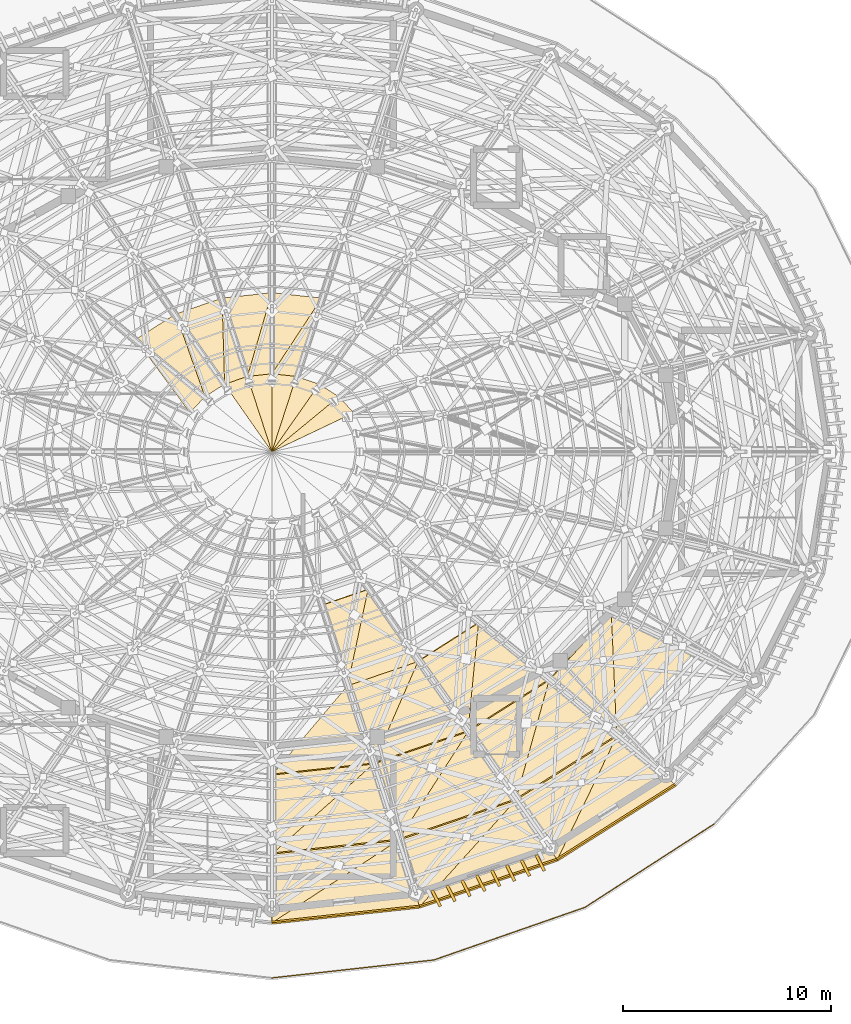
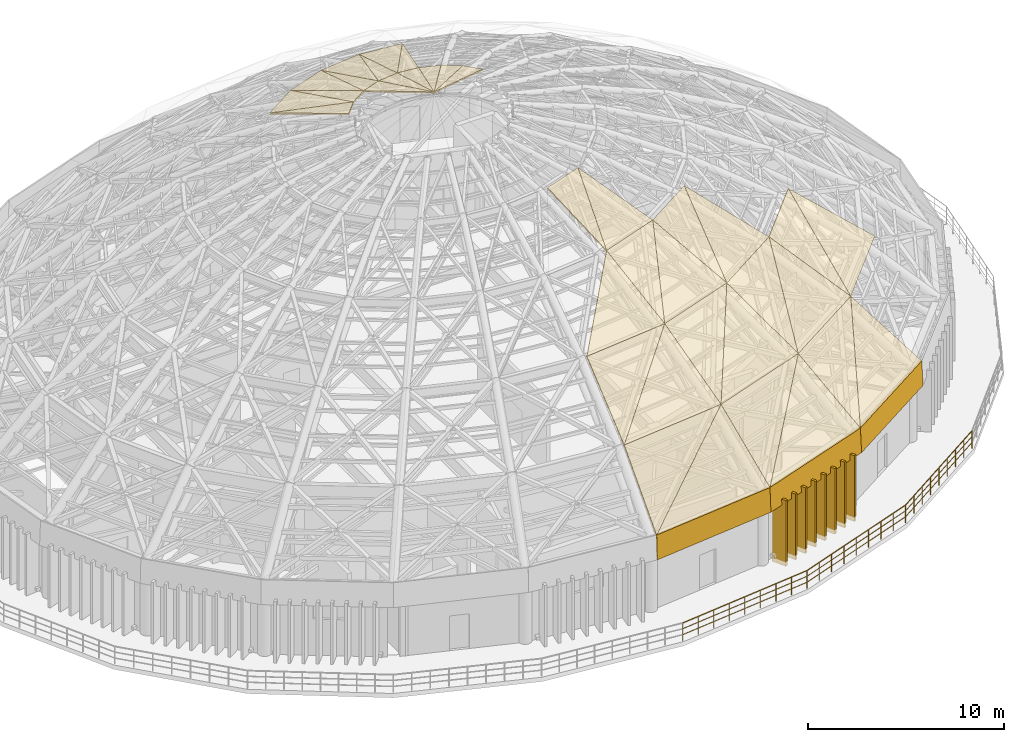
# One storey, part 45 of 50: 39 coverings, 8 shading devices, 3 railings, 6 elements without a shape of their own.
"""IFC4 building model written with IfcOpenShell, lengths in metres."""

from ifc_helpers import new_model, si_unit, direction, frame, origin, origin_2d, place, context, subcontext, project, spatial, polyline, rectangle, circle, outline, extrude, material, layer, layer_set, type_object, element, aggregate, save


model = new_model("IFC4")

# Units and contexts
model_context = context("Model", 3, precision=1e-05, world=origin(), true_north=direction((0.0, 1.0)))
body_context = subcontext(model_context, "Body", "Model", "MODEL_VIEW")
ifc_project = project(units=[si_unit("LENGTHUNIT", "METRE"), si_unit("AREAUNIT", "SQUARE_METRE"), si_unit("VOLUMEUNIT", "CUBIC_METRE"), si_unit("PLANEANGLEUNIT", "RADIAN"), si_unit("MASSUNIT", "GRAM", prefix="KILO")], contexts=[model_context])

# Site, building, storey
site_placement = place(None, origin())
site = spatial("IfcSite", under=ifc_project, at=site_placement, CompositionType="ELEMENT")
building_placement = place(site_placement, origin())
building = spatial("IfcBuilding", under=site, at=building_placement, Name="Cinderbank Siding Concert Hall", CompositionType="ELEMENT")
storey_placement = place(building_placement, frame((0.0, 0.0, 23.699951171875)))
storey = spatial("IfcBuildingStorey", under=building, at=storey_placement, Name="L06", CompositionType="ELEMENT", Elevation=23.699951171875)

# Railings
ifc_material_1 = material(Name="Structural steel AS/NZS 3679.1 Grade 350 (340 MPa)", Category="steel")
railing_type = type_object("IfcRailingType", Name="GD-01 Terrace & Perimeter Guardrail 1120mm", PredefinedType="GUARDRAIL", material=ifc_material_1)
railing_1_placement = place(storey_placement, frame((143.28955078125, 26.116455078125, 0.0)))
element("IfcRailing", 1, at=railing_1_placement, inside=storey, type_object=railing_type, Name="L06 Perimeter Guardrail #154", PredefinedType="GUARDRAIL", context=body_context, shape_type="SweptSolid", body=[
    extrude(circle(Radius=0.02392578125, at=origin_2d()), frame((0.0, 0.0, 1.09619140625), z_axis=(-0.840220235148, -0.54224529177, 0.0), x_axis=(0.54224529177, -0.840220235148, 0.0)), (0.0, 0.0, 1.0), 7.4189453125),
    extrude(circle(Radius=0.01611328125, at=origin_2d()), frame((0.0, 0.0, 0.36962890625), z_axis=(-0.840220235148, -0.54224529177, 0.0), x_axis=(0.54224529177, -0.840220235148, 0.0)), (0.0, 0.0, 1.0), 7.4189453125),
    extrude(circle(Radius=0.01611328125, at=origin_2d()), frame((0.0, 0.0, 0.7392578125), z_axis=(-0.840220235148, -0.54224529177, 0.0), x_axis=(0.54224529177, -0.840220235148, 0.0)), (0.0, 0.0, 1.0), 7.4189453125),
    extrude(circle(Radius=0.02099609375, at=origin_2d()), origin(), (0.0, 0.0, 1.0), 1.072021484375),
    extrude(circle(Radius=0.02099609375, at=origin_2d()), frame((-0.779296875, -0.5029296875, 0.0)), (0.0, 0.0, 1.0), 1.072021484375),
    extrude(circle(Radius=0.02099609375, at=origin_2d()), frame((-1.558349609375, -1.005859375, 0.0)), (0.0, 0.0, 1.0), 1.072021484375),
    extrude(circle(Radius=0.02099609375, at=origin_2d()), frame((-2.337646484375, -1.508544921875, 0.0)), (0.0, 0.0, 1.0), 1.072021484375),
    extrude(circle(Radius=0.02099609375, at=origin_2d()), frame((-3.11669921875, -2.011474609375, 0.0)), (0.0, 0.0, 1.0), 1.072021484375),
    extrude(circle(Radius=0.02099609375, at=origin_2d()), frame((-3.89599609375, -2.514404296875, 0.0)), (0.0, 0.0, 1.0), 1.072021484375),
    extrude(circle(Radius=0.02099609375, at=origin_2d()), frame((-4.67529296875, -3.01708984375, 0.0)), (0.0, 0.0, 1.0), 1.072021484375),
    extrude(circle(Radius=0.02099609375, at=origin_2d()), frame((-5.454345703125, -3.52001953125, 0.0)), (0.0, 0.0, 1.0), 1.072021484375),
    extrude(circle(Radius=0.02099609375, at=origin_2d()), frame((-6.233642578125, -4.02294921875, 0.0)), (0.0, 0.0, 1.0), 1.072021484375),
])
railing_2_placement = place(storey_placement, frame((137.055908203125, 22.093505859375, 0.0)))
element("IfcRailing", 2, at=railing_2_placement, inside=storey, type_object=railing_type, Name="L06 Perimeter Guardrail #155", PredefinedType="GUARDRAIL", context=body_context, shape_type="SweptSolid", body=[
    extrude(circle(Radius=0.02392578125, at=origin_2d()), frame((0.0, 0.0, 1.09619140625), z_axis=(-0.94433649483, -0.328981130965, 0.0), x_axis=(0.328981130965, -0.94433649483, 0.0)), (0.0, 0.0, 1.0), 7.689697265625),
    extrude(circle(Radius=0.01611328125, at=origin_2d()), frame((0.0, 0.0, 0.36962890625), z_axis=(-0.94433649483, -0.328981130965, 0.0), x_axis=(0.328981130965, -0.94433649483, 0.0)), (0.0, 0.0, 1.0), 7.689697265625),
    extrude(circle(Radius=0.01611328125, at=origin_2d()), frame((0.0, 0.0, 0.7392578125), z_axis=(-0.94433649483, -0.328981130965, 0.0), x_axis=(0.328981130965, -0.94433649483, 0.0)), (0.0, 0.0, 1.0), 7.689697265625),
    extrude(circle(Radius=0.02099609375, at=origin_2d()), origin(), (0.0, 0.0, 1.0), 1.072021484375),
    extrude(circle(Radius=0.02099609375, at=origin_2d()), frame((-0.90771484375, -0.316162109375, 0.0)), (0.0, 0.0, 1.0), 1.072021484375),
    extrude(circle(Radius=0.02099609375, at=origin_2d()), frame((-1.8154296875, -0.63232421875, 0.0)), (0.0, 0.0, 1.0), 1.072021484375),
    extrude(circle(Radius=0.02099609375, at=origin_2d()), frame((-2.72314453125, -0.94873046875, 0.0)), (0.0, 0.0, 1.0), 1.072021484375),
    extrude(circle(Radius=0.02099609375, at=origin_2d()), frame((-3.630859375, -1.264892578125, 0.0)), (0.0, 0.0, 1.0), 1.072021484375),
    extrude(circle(Radius=0.02099609375, at=origin_2d()), frame((-4.53857421875, -1.5810546875, 0.0)), (0.0, 0.0, 1.0), 1.072021484375),
    extrude(circle(Radius=0.02099609375, at=origin_2d()), frame((-5.4462890625, -1.8974609375, 0.0)), (0.0, 0.0, 1.0), 1.072021484375),
    extrude(circle(Radius=0.02099609375, at=origin_2d()), frame((-6.35400390625, -2.213623046875, 0.0)), (0.0, 0.0, 1.0), 1.072021484375),
    extrude(circle(Radius=0.02099609375, at=origin_2d()), frame((-7.26171875, -2.52978515625, 0.0)), (0.0, 0.0, 1.0), 1.072021484375),
])
railing_3_placement = place(storey_placement, frame((129.794189453125, 19.563720703125, 0.0)))
element("IfcRailing", 3, at=railing_3_placement, inside=storey, type_object=railing_type, Name="L06 Perimeter Guardrail #156", PredefinedType="GUARDRAIL", context=body_context, shape_type="SweptSolid", body=[
    extrude(circle(Radius=0.02392578125, at=origin_2d()), frame((0.0, 0.0, 1.09619140625), z_axis=(-0.993925427563, -0.110055642488, 0.0), x_axis=(0.110055642488, -0.993925427563, 0.0)), (0.0, 0.0, 1.0), 7.841796875),
    extrude(circle(Radius=0.01611328125, at=origin_2d()), frame((0.0, 0.0, 0.36962890625), z_axis=(-0.993925427563, -0.110055642488, 0.0), x_axis=(0.110055642488, -0.993925427563, 0.0)), (0.0, 0.0, 1.0), 7.841796875),
    extrude(circle(Radius=0.01611328125, at=origin_2d()), frame((0.0, 0.0, 0.7392578125), z_axis=(-0.993925427563, -0.110055642488, 0.0), x_axis=(0.110055642488, -0.993925427563, 0.0)), (0.0, 0.0, 1.0), 7.841796875),
    extrude(circle(Radius=0.02099609375, at=origin_2d()), origin(), (0.0, 0.0, 1.0), 1.072021484375),
    extrude(circle(Radius=0.02099609375, at=origin_2d()), frame((-0.974365234375, -0.10791015625, 0.0)), (0.0, 0.0, 1.0), 1.072021484375),
    extrude(circle(Radius=0.02099609375, at=origin_2d()), frame((-1.948486328125, -0.2158203125, 0.0)), (0.0, 0.0, 1.0), 1.072021484375),
    extrude(circle(Radius=0.02099609375, at=origin_2d()), frame((-2.9228515625, -0.32373046875, 0.0)), (0.0, 0.0, 1.0), 1.072021484375),
    extrude(circle(Radius=0.02099609375, at=origin_2d()), frame((-3.89697265625, -0.431640625, 0.0)), (0.0, 0.0, 1.0), 1.072021484375),
    extrude(circle(Radius=0.02099609375, at=origin_2d()), frame((-4.871337890625, -0.539306640625, 0.0)), (0.0, 0.0, 1.0), 1.072021484375),
    extrude(circle(Radius=0.02099609375, at=origin_2d()), frame((-5.845703125, -0.647216796875, 0.0)), (0.0, 0.0, 1.0), 1.072021484375),
    extrude(circle(Radius=0.02099609375, at=origin_2d()), frame((-6.81982421875, -0.755126953125, 0.0)), (0.0, 0.0, 1.0), 1.072021484375),
    extrude(circle(Radius=0.02099609375, at=origin_2d()), frame((-7.794189453125, -0.863037109375, 0.0)), (0.0, 0.0, 1.0), 1.072021484375),
])

# Shading devices
ifc_material_2 = material(Name="Glazed architectural terracotta acoustic louvre unit", Category="masonry")
shading_device_type = type_object("IfcShadingDeviceType", Name="LV-02 Terracotta Louvre Blade 850x4050", PredefinedType="JALOUSIE", material=ifc_material_2)
for number, where, z_axis, x_axis, name in (
    (4, (129.902099609375, 22.523681640625, -0.27490234375), (0.0, 0.0, 1.0), (0.450487284518, -0.89278284397, 0.0), "L06 Terracotta Louvre Blade #314"),
    (5, (130.617919921875, 22.76708984375, -0.27490234375), (0.0, 0.0, 1.0), (0.450487284518, -0.89278284397, 0.0), "L06 Terracotta Louvre Blade #315"),
    (6, (131.33349609375, 23.01025390625, -0.27490234375), (0.0, 0.0, 1.0), (0.450487284518, -0.89278284397, 0.0), "L06 Terracotta Louvre Blade #316"),
    (7, (132.049072265625, 23.253662109375, -0.27490234375), (0.0, 0.0, 1.0), (0.450487284518, -0.89278284397, 0.0), "L06 Terracotta Louvre Blade #317"),
    (8, (132.764892578125, 23.4970703125, -0.27490234375), (0.0, 0.0, 1.0), (0.450487284518, -0.89278284397, 0.0), "L06 Terracotta Louvre Blade #318"),
    (9, (133.48046875, 23.740234375, -0.27490234375), (0.0, 0.0, 1.0), (0.450487284518, -0.89278284397, 0.0), "L06 Terracotta Louvre Blade #319"),
    (10, (134.196044921875, 23.983642578125, -0.27490234375), (0.0, 0.0, 1.0), (0.450487284518, -0.89278284397, 0.0), "L06 Terracotta Louvre Blade #320"),
    (11, (134.91162109375, 24.22705078125, -0.27490234375), (0.0, 0.0, 1.0), (0.450487284518, -0.89278284397, 0.0), "L06 Terracotta Louvre Blade #321"),
):
    element("IfcShadingDevice", number, at=place(storey_placement, frame(where, z_axis=z_axis, x_axis=x_axis)), inside=storey, type_object=shading_device_type, Name=name, PredefinedType="JALOUSIE", context=body_context, shape_type="SweptSolid", body=[
        extrude(rectangle(XDim=0.85009765625, YDim=0.139892578125, at=origin_2d()), origin(), (0.0, 0.0, 1.0), 4.090087890625),
    ])

# Roof, coverings
ifc_material_3 = material(Name="Patinated sheet copper roofing", Category="metal")
roof_type = type_object("IfcRoofType", Name="RF-DM1 Schwedler Dome Sector Roof", PredefinedType="DOME_ROOF", material=ifc_material_3)
roof_1_placement = place(storey_placement, origin())
roof_1 = element("IfcRoof", 12, at=roof_1_placement, inside=storey, type_object=roof_type, Name="Schwedler Dome Roof Bay 02", PredefinedType="DOME_ROOF")
ifc_layer = layer(ifc_material_3, 0.080078125)
ifc_layer_set = layer_set([ifc_layer], Name="Patinated sheet copper roofing")
covering_type = type_object("IfcCoveringType", Name="RC-01 Standing Seam Copper Roofing", PredefinedType="ROOFING", material=ifc_layer_set)
covering_1_placement = place(storey_placement, frame((125.9404296875, 45.875, 17.650146484375), z_axis=(0.186999566506, 0.174125342971, 0.966804802978), x_axis=(-0.681465273094, 0.731850450274, 0.0)))
covering_1 = element("IfcCovering", 13, at=covering_1_placement, type_object=covering_type, Name="Dome Apex Copper Cap B02-0", PredefinedType="ROOFING", context=body_context, shape_type="SweptSolid", body=[
    extrude(outline(polyline([(0.0, 0.0), (1.0611612356512363, 0.0), (1.3130463988361702, 4.304439340084535), (0.0, 0.0)])), origin(), (0.0, 0.0, -1.0), 0.080078125),
])
covering_2_placement = place(storey_placement, frame((125.21728515625, 46.651611328125, 17.650146484375), z_axis=(0.143010036916, 0.226144507372, 0.963538681697), x_axis=(-0.845181787125, 0.534478948801, 0.0)))
covering_2 = element("IfcCovering", 14, at=covering_2_placement, type_object=covering_type, Name="Dome Apex Copper Cap B02-1", PredefinedType="ROOFING", context=body_context, shape_type="SweptSolid", body=[
    extrude(outline(polyline([(0.0, 0.0), (1.1150060576971428, 0.0), (1.3019603827653075, 4.1105405155051935), (0.0, 0.0)])), origin(), (0.0, 0.0, -1.0), 0.080078125),
])
aggregate(roof_1, [covering_1, covering_2])

roof_2_placement = place(storey_placement, origin())
roof_2 = element("IfcRoof", 15, at=roof_2_placement, inside=storey, type_object=roof_type, Name="Schwedler Dome Roof Bay 03", PredefinedType="DOME_ROOF")
covering_3_placement = place(storey_placement, frame((124.27490234375, 47.24755859375, 17.650146484375), z_axis=(0.089663597676, 0.262565388633, 0.960739223694), x_axis=(-0.946342004297, 0.323166846851, 0.0)))
covering_3 = element("IfcCovering", 16, at=covering_3_placement, type_object=covering_type, Name="Dome Apex Copper Cap B03-0", PredefinedType="ROOFING", context=body_context, shape_type="SweptSolid", body=[
    extrude(outline(polyline([(0.0, 0.0), (1.1596358445386128, 5.551115123125783e-17), (1.1033323728574764, 3.964108086855867), (0.0, 0.0)])), origin(), (0.0, 0.0, -1.0), 0.080078125),
])
covering_4_placement = place(storey_placement, frame((124.39404296875, 51.389404296875, 16.449951171875), z_axis=(0.031988865675, 0.29398577021, 0.955274347707), x_axis=(-0.994132145176, 0.10817244533, 0.0)))
covering_4 = element("IfcCovering", 17, at=covering_4_placement, type_object=covering_type, Name="Dome Copper Facet B03-1-4-0", PredefinedType="ROOFING", context=body_context, shape_type="SweptSolid", body=[
    extrude(outline(polyline([(0.0, 0.0), (2.4081737829000227, 0.0), (1.9863118098298311, 4.058539091176903), (0.0, 0.0)])), origin(), (0.0, 0.0, -1.0), 0.080078125),
])
covering_5_placement = place(storey_placement, frame((124.39404296875, 51.389404296875, 16.449951171875), z_axis=(0.031886203618, 0.294048107169, 0.955258593622), x_axis=(-0.529827046446, -0.805438688698, 0.265615924978)))
covering_5 = element("IfcCovering", 18, at=covering_5_placement, type_object=covering_type, Name="Dome Copper Facet B03-1-4-1", PredefinedType="ROOFING", context=body_context, shape_type="SweptSolid", body=[
    extrude(outline(polyline([(0.0, 0.0), (4.518536727800329, 8.326672684688674e-17), (3.9975134341426877, 1.0636360178159652), (0.0, 0.0)])), origin(), (0.0, 0.0, -1.0), 0.080078125),
])
covering_6_placement = place(storey_placement, frame((123.177490234375, 47.622314453125, 17.650146484375), z_axis=(0.030504691113, 0.281308078846, 0.95913253964), x_axis=(-0.994171870279, 0.107806736089, 0.0)))
covering_6 = element("IfcCovering", 19, at=covering_6_placement, type_object=covering_type, Name="Dome Apex Copper Cap B03-1", PredefinedType="ROOFING", context=body_context, shape_type="SweptSolid", body=[
    extrude(outline(polyline([(0.0, 0.0), (1.1843930305980614, 0.0), (0.7801177702653755, 3.8869961756754545), (0.0, 0.0)])), origin(), (0.0, 0.0, -1.0), 0.080078125),
])
aggregate(roof_2, [covering_3, covering_4, covering_5, covering_6])

roof_3_placement = place(storey_placement, origin())
roof_3 = element("IfcRoof", 20, at=roof_3_placement, inside=storey, type_object=roof_type, Name="Schwedler Dome Roof Bay 04", PredefinedType="DOME_ROOF")
covering_7_placement = place(storey_placement, frame((122.0, 51.64990234375, 16.449951171875), z_axis=(-0.031992146467, 0.294015921511, 0.955264958251), x_axis=(-0.994132145176, -0.10817244533, 0.0)))
covering_7 = element("IfcCovering", 21, at=covering_7_placement, type_object=covering_type, Name="Dome Copper Facet B04-0-4-0", PredefinedType="ROOFING", context=body_context, shape_type="SweptSolid", body=[
    extrude(outline(polyline([(0.0, 0.0), (2.4081737829000227, 0.0), (1.606254923531431, 4.058122888422139), (0.0, 0.0)])), origin(), (0.0, 0.0, -1.0), 0.080078125),
])
covering_8_placement = place(storey_placement, frame((122.0, 51.64990234375, 16.449951171875), z_axis=(-0.031879555274, 0.293986797487, 0.955277685733), x_axis=(-0.269791260661, -0.922817007491, 0.274993538754)))
covering_8 = element("IfcCovering", 22, at=covering_8_placement, type_object=covering_type, Name="Dome Copper Facet B04-0-4-1", PredefinedType="ROOFING", context=body_context, shape_type="SweptSolid", body=[
    extrude(outline(polyline([(0.0, 0.0), (4.364449135561624, 2.220446049250313e-16), (3.928942166546282, 1.101417509788332), (0.0, 0.0)])), origin(), (0.0, 0.0, -1.0), 0.080078125),
])
covering_9_placement = place(storey_placement, frame((122.0, 47.75, 17.650146484375), z_axis=(-0.030504691113, 0.281308078846, 0.95913253964), x_axis=(-0.994171870279, -0.107806736089, 0.0)))
covering_9 = element("IfcCovering", 23, at=covering_9_placement, type_object=covering_type, Name="Dome Apex Copper Cap B04-0", PredefinedType="ROOFING", context=body_context, shape_type="SweptSolid", body=[
    extrude(outline(polyline([(0.0, 0.0), (1.1843930305980614, 0.0), (0.40427526033268585, 3.8869961756754545), (0.0, 0.0)])), origin(), (0.0, 0.0, -1.0), 0.080078125),
])
covering_10_placement = place(storey_placement, frame((119.60595703125, 51.389404296875, 16.449951171875), z_axis=(-0.094084578228, 0.274591145273, 0.956947122404), x_axis=(-0.946010356205, -0.324136400227, 0.0)))
covering_10 = element("IfcCovering", 24, at=covering_10_placement, type_object=covering_type, Name="Dome Copper Facet B04-1-4-0", PredefinedType="ROOFING", context=body_context, shape_type="SweptSolid", body=[
    extrude(outline(polyline([(0.0, 0.0), (2.358279712918885, 1.1102230246251565e-16), (1.2298146914137886, 4.134864560049119), (0.0, 0.0)])), origin(), (0.0, 0.0, -1.0), 0.080078125),
])
covering_11_placement = place(storey_placement, frame((119.60595703125, 51.389404296875, 16.449951171875), z_axis=(-0.093775848177, 0.274607451176, 0.956972746768), x_axis=(0.027617982413, -0.960121048419, 0.278217216271)))
covering_11 = element("IfcCovering", 25, at=covering_11_placement, type_object=covering_type, Name="Dome Copper Facet B04-1-4-1", PredefinedType="ROOFING", context=body_context, shape_type="SweptSolid", body=[
    extrude(outline(polyline([(0.0, 0.0), (4.313878661386687, -2.7755575615628914e-17), (3.984375981118244, 1.1118377919618914), (0.0, 0.0)])), origin(), (0.0, 0.0, -1.0), 0.080078125),
])
covering_12_placement = place(storey_placement, frame((120.822509765625, 47.622314453125, 17.650146484375), z_axis=(-0.089663597676, 0.262565388633, 0.960739223694), x_axis=(-0.946342004297, -0.323166846851, 0.0)))
covering_12 = element("IfcCovering", 26, at=covering_12_placement, type_object=covering_type, Name="Dome Apex Copper Cap B04-1", PredefinedType="ROOFING", context=body_context, shape_type="SweptSolid", body=[
    extrude(outline(polyline([(0.0, 0.0), (1.1596358445386128, -5.551115123125783e-17), (0.0563034716811366, 3.964108086855867), (0.0, 0.0)])), origin(), (0.0, 0.0, -1.0), 0.080078125),
])
aggregate(roof_3, [covering_7, covering_8, covering_9, covering_10, covering_11, covering_12])

roof_4_placement = place(storey_placement, origin())
roof_4 = element("IfcRoof", 27, at=roof_4_placement, inside=storey, type_object=roof_type, Name="Schwedler Dome Roof Bay 05", PredefinedType="DOME_ROOF")
covering_13_placement = place(storey_placement, frame((117.375, 50.625, 16.449951171875), z_axis=(-0.150206429186, 0.236728228525, 0.959894668415), x_axis=(-0.844369673606, -0.535761004828, 0.0)))
covering_13 = element("IfcCovering", 28, at=covering_13_placement, type_object=covering_type, Name="Dome Copper Facet B05-0-4-0", PredefinedType="ROOFING", context=body_context, shape_type="SweptSolid", body=[
    extrude(outline(polyline([(0.0, 0.0), (2.2688776542543385, -1.1102230246251565e-16), (0.9401549842680621, 4.280894300587385), (0.0, 0.0)])), origin(), (0.0, 0.0, -1.0), 0.080078125),
])
covering_14_placement = place(storey_placement, frame((117.375, 50.625, 16.449951171875), z_axis=(-0.149799223981, 0.236880378766, 0.959920766861), x_axis=(0.321182298799, -0.906562940159, 0.273834925581)))
covering_14 = element("IfcCovering", 29, at=covering_14_placement, type_object=covering_type, Name="Dome Copper Facet B05-0-4-1", PredefinedType="ROOFING", context=body_context, shape_type="SweptSolid", body=[
    extrude(outline(polyline([(0.0, 0.0), (4.382915400420778, -1.249000902703301e-16), (4.145328373183575, 1.089399335959919), (0.0, 0.0)])), origin(), (0.0, 0.0, -1.0), 0.080078125),
])
covering_15_placement = place(storey_placement, frame((115.459228515625, 49.409423828125, 16.449951171875), z_axis=(-0.196257079135, 0.182745510342, 0.963372844406), x_axis=(0.571615553869, -0.776948490598, 0.263830819906)))
covering_15 = element("IfcCovering", 30, at=covering_15_placement, type_object=covering_type, Name="Dome Copper Facet B05-1-4-1", PredefinedType="ROOFING", context=body_context, shape_type="SweptSolid", body=[
    extrude(outline(polyline([(0.0, 0.0), (4.549109588209529, 0.0), (4.359083250799159, 1.0440082179462282), (0.0, 0.0)])), origin(), (0.0, 0.0, -1.0), 0.080078125),
])
aggregate(roof_4, [covering_13, covering_14, covering_15])

roof_5_placement = place(storey_placement, origin())
roof_5 = element("IfcRoof", 31, at=roof_5_placement, inside=storey, type_object=roof_type, Name="Schwedler Dome Roof Bay 10", PredefinedType="DOME_ROOF")
covering_16_placement = place(storey_placement, frame((122.0, 21.280029296875, 3.449951171875), z_axis=(0.107929110911, -0.99307736259, 0.04635362909), x_axis=(0.994145975522, 0.108045265301, 3.41974e-07)))
covering_16 = element("IfcCovering", 32, at=covering_16_placement, type_object=covering_type, Name="Dome Springing Copper Fascia B10-0", PredefinedType="ROOFING", context=body_context, shape_type="SweptSolid", body=[
    extrude(outline(polyline([(0.0, 0.0), (7.164751067410644, 0.0), (7.150699747520008, 1.5016116477882973), (0.007571067438202069, 1.5016165459695072), (0.0, 0.0)])), origin(), (0.0, 0.0, -1.0), 0.080078125),
])
covering_17_placement = place(storey_placement, frame((122.0, 21.35009765625, 4.949951171875), z_axis=(0.079819798638, -0.734816874522, 0.673552492879), x_axis=(0.994151960325, 0.107990183732, 0.0)))
covering_17 = element("IfcCovering", 33, at=covering_17_placement, type_object=covering_type, Name="Dome Copper Facet B10-0-0-0", PredefinedType="ROOFING", context=body_context, shape_type="SweptSolid", body=[
    extrude(outline(polyline([(0.0, 0.0), (7.146283939508513, -1.1102230246251565e-16), (6.461400034972708, 4.870661339464959), (0.0, 0.0)])), origin(), (0.0, 0.0, -1.0), 0.080078125),
])
covering_18_placement = place(storey_placement, frame((122.0, 21.35009765625, 4.949951171875), z_axis=(0.079838125216, -0.734829986257, 0.673536016157), x_axis=(0.750084081366, 0.489304647929, 0.44492115301)))
covering_18 = element("IfcCovering", 34, at=covering_18_placement, type_object=covering_type, Name="Dome Copper Facet B10-0-0-1", PredefinedType="ROOFING", context=body_context, shape_type="SweptSolid", body=[
    extrude(outline(polyline([(0.0, 0.0), (8.091540786259678, 8.881784197001252e-16), (3.2163693710193906, 3.6748309048651553), (0.0, 0.0)])), origin(), (0.0, 0.0, -1.0), 0.080078125),
])
covering_19_placement = place(storey_placement, frame((122.0, 24.64990234375, 8.550048828125), z_axis=(0.069812755367, -0.642556497008, 0.763051326806), x_axis=(0.994149505088, 0.108012784121, 0.0)))
covering_19 = element("IfcCovering", 35, at=covering_19_placement, type_object=covering_type, Name="Dome Copper Facet B10-0-1-0", PredefinedType="ROOFING", context=body_context, shape_type="SweptSolid", body=[
    extrude(outline(polyline([(0.0, 0.0), (6.105053522069077, -1.1102230246251565e-16), (5.317823315267854, 4.950895195419978), (0.0, 0.0)])), origin(), (0.0, 0.0, -1.0), 0.080078125),
])
covering_20_placement = place(storey_placement, frame((122.0, 24.64990234375, 8.550048828125), z_axis=(0.069808546777, -0.642553749537, 0.763054025448), x_axis=(0.671463497494, 0.595960395914, 0.440417958347)))
covering_20 = element("IfcCovering", 36, at=covering_20_placement, type_object=covering_type, Name="Dome Copper Facet B10-0-1-1", PredefinedType="ROOFING", context=body_context, shape_type="SweptSolid", body=[
    extrude(outline(polyline([(0.0, 0.0), (7.265714558695451, -4.440892098500626e-16), (3.6739945660310998, 3.3439232238932046), (0.0, 0.0)])), origin(), (0.0, 0.0, -1.0), 0.080078125),
])
covering_21_placement = place(storey_placement, frame((122.0, 28.449951171875, 11.75), z_axis=(0.061699869478, -0.56791731542, 0.820769790473), x_axis=(0.994150154684, 0.108006805075, 0.0)))
covering_21 = element("IfcCovering", 37, at=covering_21_placement, type_object=covering_type, Name="Dome Copper Facet B10-0-2-0", PredefinedType="ROOFING", context=body_context, shape_type="SweptSolid", body=[
    extrude(outline(polyline([(0.0, 0.0), (4.907369461635952, 0.0), (4.079319904819652, 4.726316318022542), (0.0, 0.0)])), origin(), (0.0, 0.0, -1.0), 0.080078125),
])
covering_22_placement = place(storey_placement, frame((129.122802734375, 22.05419921875, 3.449951171875), z_axis=(0.323224216311, -0.945177524925, 0.046535495775), x_axis=(0.946202602374, 0.323574775378, 2.29836e-07)))
covering_22 = element("IfcCovering", 38, at=covering_22_placement, type_object=covering_type, Name="Dome Springing Copper Fascia B10-1", PredefinedType="ROOFING", context=body_context, shape_type="SweptSolid", body=[
    extrude(outline(polyline([(0.0, 0.0), (7.014584627642685, -1.3877787807814457e-17), (6.998218398446824, 1.5016251967643683), (0.004557233817532843, 1.501628419861422), (0.0, 0.0)])), origin(), (0.0, 0.0, -1.0), 0.080078125),
])
covering_23_placement = place(storey_placement, frame((129.1044921875, 22.121826171875, 4.949951171875), z_axis=(0.236716844052, -0.692629194756, 0.681344211331), x_axis=(0.94626237199, 0.323399943344, 0.0)))
covering_23 = element("IfcCovering", 39, at=covering_23_placement, type_object=covering_type, Name="Dome Copper Facet B10-1-0-0", PredefinedType="ROOFING", context=body_context, shape_type="SweptSolid", body=[
    extrude(outline(polyline([(0.0, 0.0), (6.996585370739922, -2.220446049250313e-16), (6.028308609373036, 4.918413739116556), (0.0, 0.0)])), origin(), (0.0, 0.0, -1.0), 0.080078125),
])
covering_24_placement = place(storey_placement, frame((129.1044921875, 22.121826171875, 4.949951171875), z_axis=(0.236739477827, -0.692637881199, 0.681327516813), x_axis=(0.593893938819, 0.65815975234, 0.462726409269)))
covering_24 = element("IfcCovering", 40, at=covering_24_placement, type_object=covering_type, Name="Dome Copper Facet B10-1-0-1", PredefinedType="ROOFING", context=body_context, shape_type="SweptSolid", body=[
    extrude(outline(polyline([(0.0, 0.0), (7.780186270197621, 0.0), (3.14897144947075, 3.778410599295542), (0.0, 0.0)])), origin(), (0.0, 0.0, -1.0), 0.080078125),
])
covering_25_placement = place(storey_placement, frame((128.0693359375, 25.309326171875, 8.550048828125), z_axis=(0.206483813476, -0.604117709394, 0.769679302027), x_axis=(0.946254150241, 0.323423999034, 0.0)))
covering_25 = element("IfcCovering", 41, at=covering_25_placement, type_object=covering_type, Name="Dome Copper Facet B10-1-1-0", PredefinedType="ROOFING", context=body_context, shape_type="SweptSolid", body=[
    extrude(outline(polyline([(0.0, 0.0), (5.977000700400588, 0.0), (4.864884424411561, 5.012213729002317), (0.0, 0.0)])), origin(), (0.0, 0.0, -1.0), 0.080078125),
])
covering_26_placement = place(storey_placement, frame((128.0693359375, 25.309326171875, 8.550048828125), z_axis=(0.206378507029, -0.604083709196, 0.769734229537), x_axis=(0.480421146974, 0.747877139454, 0.458121496791)))
covering_26 = element("IfcCovering", 42, at=covering_26_placement, type_object=covering_type, Name="Dome Copper Facet B10-1-1-1", PredefinedType="ROOFING", context=body_context, shape_type="SweptSolid", body=[
    extrude(outline(polyline([(0.0, 0.0), (6.984940008910707, -4.440892098500626e-16), (3.6391399698096993, 3.4478623688694983), (0.0, 0.0)])), origin(), (0.0, 0.0, -1.0), 0.080078125),
])
covering_27_placement = place(storey_placement, frame((126.878662109375, 28.97998046875, 11.75), z_axis=(0.181736393345, -0.531954592404, 0.82704062473), x_axis=(0.946299055264, 0.323292588851, 0.0)))
covering_27 = element("IfcCovering", 43, at=covering_27_placement, type_object=covering_type, Name="Dome Copper Facet B10-1-2-0", PredefinedType="ROOFING", context=body_context, shape_type="SweptSolid", body=[
    extrude(outline(polyline([(0.0, 0.0), (4.804386830420163, 0.0), (3.625111184535692, 4.8029686738057), (0.0, 0.0)])), origin(), (0.0, 0.0, -1.0), 0.080078125),
])
covering_28_placement = place(storey_placement, frame((126.878662109375, 28.97998046875, 11.75), z_axis=(0.182794181012, -0.532200637355, 0.826649120841), x_axis=(0.356668236444, 0.819432188769, 0.448685476833)))
covering_28 = element("IfcCovering", 44, at=covering_28_placement, type_object=covering_type, Name="Dome Copper Facet B10-1-2-1", PredefinedType="ROOFING", context=body_context, shape_type="SweptSolid", body=[
    extrude(outline(polyline([(0.0, 0.0), (6.017469499864928, 3.3306690738754696e-16), (3.855254729973784, 2.8567014148427563), (0.0, 0.0)])), origin(), (0.0, 0.0, -1.0), 0.080078125),
])
covering_29_placement = place(storey_placement, frame((125.636474609375, 32.7470703125, 14.449951171875), z_axis=(0.143667068942, -0.418283039615, 0.896882975684), x_axis=(0.945768401468, 0.324841701117, 0.0)))
covering_29 = element("IfcCovering", 45, at=covering_29_placement, type_object=covering_type, Name="Dome Copper Facet B10-1-3-0", PredefinedType="ROOFING", context=body_context, shape_type="SweptSolid", body=[
    extrude(outline(polyline([(0.0, 0.0), (3.582724617480391, 1.1102230246251565e-16), (2.438260630838047, 4.522145589922929), (0.0, 0.0)])), origin(), (0.0, 0.0, -1.0), 0.080078125),
])
covering_30_placement = place(storey_placement, frame((125.636474609375, 32.7470703125, 14.449951171875), z_axis=(0.143303493936, -0.418239325324, 0.896961523912), x_axis=(0.192410022175, 0.900796339924, 0.389286960153)))
covering_30 = element("IfcCovering", 46, at=covering_30_placement, type_object=covering_type, Name="Dome Copper Facet B10-1-3-1", PredefinedType="ROOFING", context=body_context, shape_type="SweptSolid", body=[
    extrude(outline(polyline([(0.0, 0.0), (5.13759823656484, 5.551115123125783e-17), (4.019767151862449, 2.076520375637535), (0.0, 0.0)])), origin(), (0.0, 0.0, -1.0), 0.080078125),
])
aggregate(roof_5, [covering_16, covering_17, covering_18, covering_19, covering_20, covering_21, covering_22, covering_23, covering_24, covering_25, covering_26, covering_27, covering_28, covering_29, covering_30])

roof_6_placement = place(storey_placement, origin())
roof_6 = element("IfcRoof", 47, at=roof_6_placement, inside=storey, type_object=roof_type, Name="Schwedler Dome Roof Bay 11", PredefinedType="DOME_ROOF")
covering_31_placement = place(storey_placement, frame((135.760009765625, 24.323974609375, 3.449951171875), z_axis=(0.53456671717, -0.843842179223, 0.0465703925), x_axis=(0.844758750782, 0.535147318948, -6.9527e-07)))
covering_31 = element("IfcCovering", 48, at=covering_31_placement, type_object=covering_type, Name="Dome Springing Copper Fascia B11-0", PredefinedType="ROOFING", context=body_context, shape_type="SweptSolid", body=[
    extrude(outline(polyline([(0.0, 0.0), (6.747078001873022, 0.0), (6.729594459065315, 1.5016339356825428), (0.0029081450192496023, 1.501624557603954), (0.0, 0.0)])), origin(), (0.0, 0.0, -1.0), 0.080078125),
])
covering_32_placement = place(storey_placement, frame((135.72509765625, 24.384521484375, 4.949951171875), z_axis=(0.384369647402, -0.60709703652, 0.695480526259), x_axis=(0.844897790978, 0.534927773443, 0.0)))
covering_32 = element("IfcCovering", 49, at=covering_32_placement, type_object=covering_type, Name="Dome Copper Facet B11-0-0-0", PredefinedType="ROOFING", context=body_context, shape_type="SweptSolid", body=[
    extrude(outline(polyline([(0.0, 0.0), (6.728693878071593, -4.440892098500626e-16), (5.587262908854282, 5.010260920574366), (0.0, 0.0)])), origin(), (0.0, 0.0, -1.0), 0.080078125),
])
covering_33_placement = place(storey_placement, frame((135.72509765625, 24.384521484375, 4.949951171875), z_axis=(0.384376163227, -0.607097658998, 0.695476381757), x_axis=(0.380654400758, 0.790554875037, 0.479713682042)))
covering_33 = element("IfcCovering", 50, at=covering_33_placement, type_object=covering_type, Name="Dome Copper Facet B11-0-0-1", PredefinedType="ROOFING", context=body_context, shape_type="SweptSolid", body=[
    extrude(outline(polyline([(0.0, 0.0), (7.504679960191073, -2.220446049250313e-16), (3.2250421073175017, 3.8376369033251088), (0.0, 0.0)])), origin(), (0.0, 0.0, -1.0), 0.080078125),
])
covering_34_placement = place(storey_placement, frame((133.72509765625, 27.242431640625, 8.550048828125), z_axis=(0.333647787914, -0.526975422388, 0.781649574822), x_axis=(0.844893940464, 0.534933855132, 0.0)))
covering_34 = element("IfcCovering", 51, at=covering_34_placement, type_object=covering_type, Name="Dome Copper Facet B11-0-1-0", PredefinedType="ROOFING", context=body_context, shape_type="SweptSolid", body=[
    extrude(outline(polyline([(0.0, 0.0), (5.748282974376876, 0.0), (4.437482203083155, 5.130446772349297), (0.0, 0.0)])), origin(), (0.0, 0.0, -1.0), 0.080078125),
])
covering_35_placement = place(storey_placement, frame((133.72509765625, 27.242431640625, 8.550048828125), z_axis=(0.333563858497, -0.526972896782, 0.781687097477), x_axis=(0.236464750223, 0.849437529682, 0.471741777956)))
covering_35 = element("IfcCovering", 52, at=covering_35_placement, type_object=covering_type, Name="Dome Copper Facet B11-0-1-1", PredefinedType="ROOFING", context=body_context, shape_type="SweptSolid", body=[
    extrude(outline(polyline([(0.0, 0.0), (6.783268562174806, 0.0), (3.76097498398652, 3.4948757125750007), (0.0, 0.0)])), origin(), (0.0, 0.0, -1.0), 0.080078125),
])
covering_36_placement = place(storey_placement, frame((131.425048828125, 30.533203125, 11.75), z_axis=(0.291883754573, -0.461125579863, 0.837954099824), x_axis=(0.844953598456, 0.534839617508, 0.0)))
covering_36 = element("IfcCovering", 53, at=covering_36_placement, type_object=covering_type, Name="Dome Copper Facet B11-0-2-0", PredefinedType="ROOFING", context=body_context, shape_type="SweptSolid", body=[
    extrude(outline(polyline([(0.0, 0.0), (4.620434472980303, -2.220446049250313e-16), (3.2274067483800204, 4.947314913670818), (0.0, 0.0)])), origin(), (0.0, 0.0, -1.0), 0.080078125),
])
covering_37_placement = place(storey_placement, frame((131.425048828125, 30.533203125, 11.75), z_axis=(0.293314478398, -0.461033267576, 0.837505189805), x_axis=(0.086299269933, 0.885228813903, 0.457080280743)))
covering_37 = element("IfcCovering", 54, at=covering_37_placement, type_object=covering_type, Name="Dome Copper Facet B11-0-2-1", PredefinedType="ROOFING", context=body_context, shape_type="SweptSolid", body=[
    extrude(outline(polyline([(0.0, 0.0), (5.906951766733718, 0.0), (4.01698812069772, 2.8849619700627813), (0.0, 0.0)])), origin(), (0.0, 0.0, -1.0), 0.080078125),
])
covering_38_placement = place(storey_placement, frame((138.581787109375, 30.3173828125, 8.550048828125), z_axis=(0.443061252893, -0.411994332267, 0.796214416075), x_axis=(0.680965992364, 0.732315039613, 0.0)))
covering_38 = element("IfcCovering", 55, at=covering_38_placement, type_object=covering_type, Name="Dome Copper Facet B11-1-1-0", PredefinedType="ROOFING", context=body_context, shape_type="SweptSolid", body=[
    extrude(outline(polyline([(0.0, 0.0), (5.472464912767361, 0.0), (4.151245639306773, 5.2890483062790725), (0.0, 0.0)])), origin(), (0.0, 0.0, -1.0), 0.080078125),
])
covering_39_placement = place(storey_placement, frame((138.581787109375, 30.3173828125, 8.550048828125), z_axis=(0.442977054086, -0.412017014375, 0.796249527107), x_axis=(-0.038235448834, 0.878652792862, 0.475927851725)))
covering_39 = element("IfcCovering", 56, at=covering_39_placement, type_object=covering_type, Name="Dome Copper Facet B11-1-1-1", PredefinedType="ROOFING", context=body_context, shape_type="SweptSolid", body=[
    extrude(outline(polyline([(0.0, 0.0), (6.723605605924327, 0.0), (4.008264129789852, 3.4602747595781365), (0.0, 0.0)])), origin(), (0.0, 0.0, -1.0), 0.080078125),
])
aggregate(roof_6, [covering_31, covering_32, covering_33, covering_34, covering_35, covering_36, covering_37, covering_38, covering_39])

save(model, "model.ifc")
